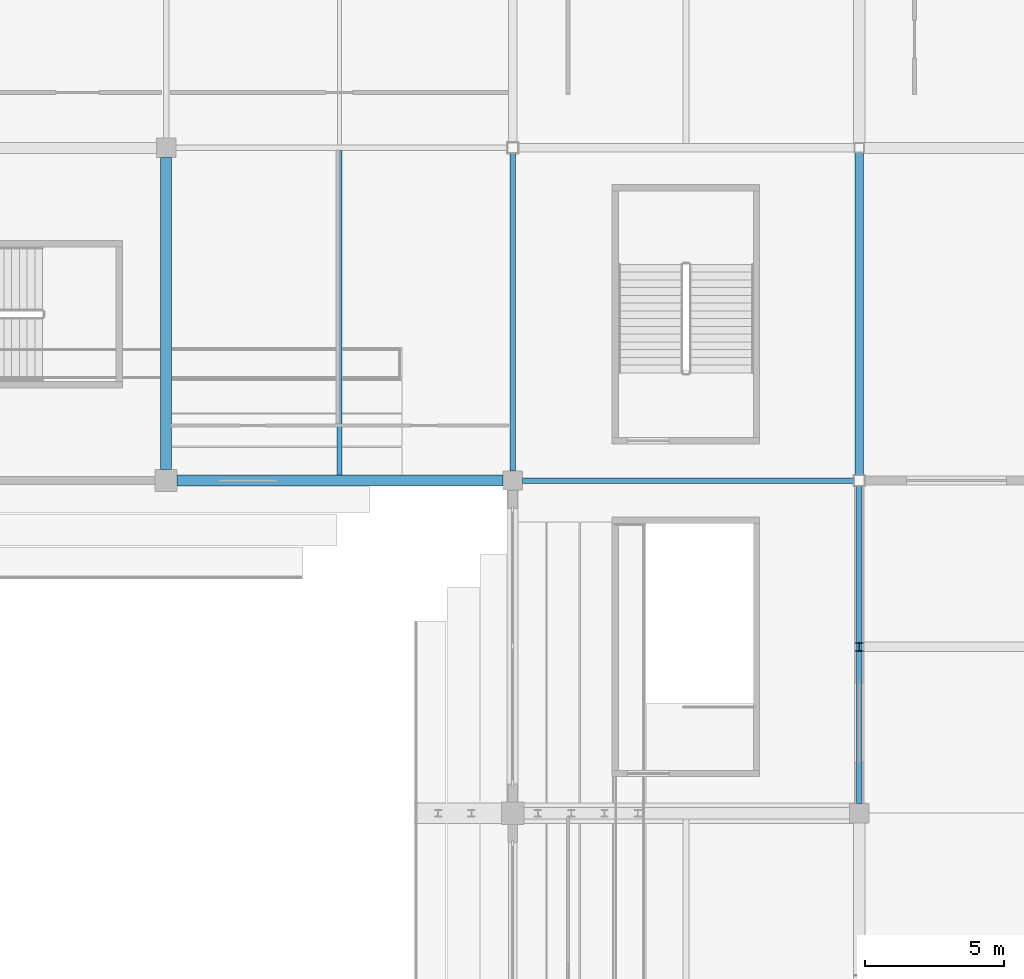
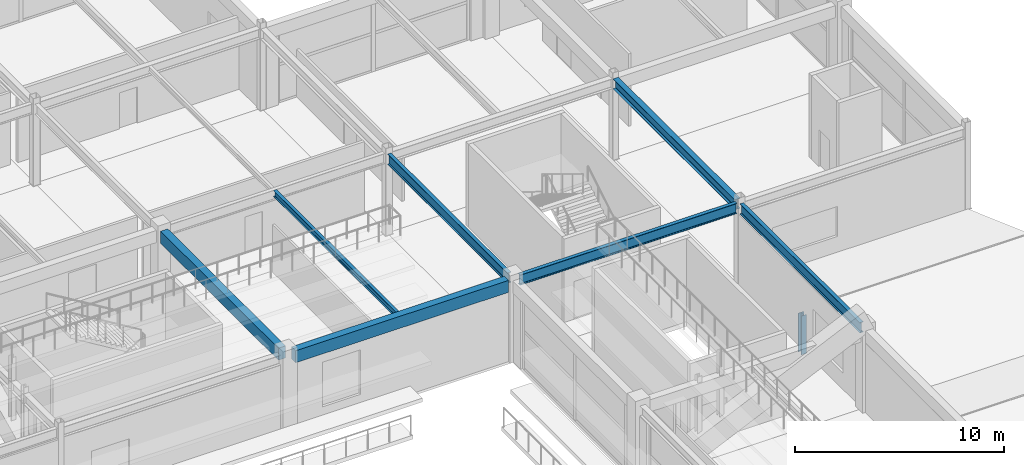
# One storey, part 59 of 128: 7 beams, 1 member.
"""IFC4 building model written with IfcOpenShell, lengths in metres."""

from ifc_helpers import new_model, si_unit, direction, frame, origin, origin_2d, place, context, subcontext, project, spatial, rectangle, i_section, extrude, material, material_profile, profile_set, type_object, element, save


model = new_model("IFC4")

# Units and contexts
model_context = context("Model", 3, precision=1e-05, world=origin(), true_north=direction((0.0, 1.0)))
body_context = subcontext(model_context, "Body", "Model", "MODEL_VIEW")
ifc_project = project(units=[si_unit("LENGTHUNIT", "METRE"), si_unit("AREAUNIT", "SQUARE_METRE"), si_unit("VOLUMEUNIT", "CUBIC_METRE"), si_unit("PLANEANGLEUNIT", "RADIAN"), si_unit("MASSUNIT", "GRAM", prefix="KILO")], contexts=[model_context])

# Site, building, storey
site_placement = place(None, origin())
site = spatial("IfcSite", under=ifc_project, at=site_placement, CompositionType="ELEMENT")
building_placement = place(site_placement, origin())
building = spatial("IfcBuilding", under=site, at=building_placement, Name="Kazenohara Klinker Stadium", CompositionType="ELEMENT")
storey_placement = place(building_placement, frame((0.0, 0.0, 15.300048828125)))
storey = spatial("IfcBuildingStorey", under=building, at=storey_placement, Name="L03", CompositionType="ELEMENT", Elevation=15.300048828125)

# Beams
ifc_material_1 = material(Name="Steel S355", Category="steel")
ifc_material_profile_1 = material_profile(ifc_material_1, i_section(OverallWidth=0.175048828125, OverallDepth=0.35009765625, WebThickness=0.007080078125, FlangeThickness=0.010986328125, FilletRadius=0.012939453125, at=origin_2d()), Name="H-350x175x7x11")
ifc_profile_set_1 = profile_set([ifc_material_profile_1], Name="Steel S355")
beam_type_1 = type_object("IfcBeamType", Name="BM-JST04", PredefinedType="JOIST", material=ifc_profile_set_1)
beam_1_placement = place(storey_placement, frame((168.75, 132.199951171875, 4.5849609375), z_axis=(0.0, 1.0, 0.0), x_axis=(-1.0, 0.0, 0.0)))
element("IfcBeam", 1, at=beam_1_placement, inside=storey, type_object=beam_type_1, Name="Secondary floor joist SJ04 L03 14/M", PredefinedType="JOIST", context=body_context, shape_type="SweptSolid", body=[
    extrude(i_section(OverallWidth=0.175048828125, OverallDepth=0.35009765625, WebThickness=0.007080078125, FlangeThickness=0.010986328125, FilletRadius=0.012939453125, at=origin_2d()), origin(), (0.0, 0.0, 1.0), 11.699951171875),
])
ifc_material_2 = material(Name="Concrete C40/50", Category="concrete")
ifc_material_profile_2 = material_profile(ifc_material_2, rectangle(XDim=0.39990234375, YDim=0.699951171875, at=origin_2d()), Name="RC-BM-400x700")
ifc_profile_set_2 = profile_set([ifc_material_profile_2], Name="Concrete C40/50")
beam_type_2 = type_object("IfcBeamType", Name="BM-RC04", PredefinedType="BEAM", material=ifc_profile_set_2)
beam_2_placement = place(storey_placement, frame((162.89990234375, 132.0, 4.409912109375), z_axis=(1.0, 0.0, 0.0), x_axis=(0.0, 1.0, 0.0)))
element("IfcBeam", 2, at=beam_2_placement, inside=storey, type_object=beam_type_2, Name="Primary girder BG04 L03 14-15/M", PredefinedType="BEAM", context=body_context, shape_type="SweptSolid", body=[
    extrude(rectangle(XDim=0.39990234375, YDim=0.699951171875, at=origin_2d()), origin(), (0.0, 0.0, 1.0), 11.75),
])
beam_3_placement = place(storey_placement, frame((162.5, 132.39990234375, 4.409912109375), z_axis=(0.0, 1.0, 0.0), x_axis=(-1.0, 0.0, 0.0)))
element("IfcBeam", 3, at=beam_3_placement, inside=storey, type_object=beam_type_2, Name="Primary girder BG04 L03 14/M-N", PredefinedType="BEAM", context=body_context, shape_type="SweptSolid", body=[
    extrude(rectangle(XDim=0.39990234375, YDim=0.699951171875, at=origin_2d()), origin(), (0.0, 0.0, 1.0), 11.25),
])
ifc_material_profile_3 = material_profile(ifc_material_1, i_section(OverallWidth=0.199951171875, OverallDepth=0.60009765625, WebThickness=0.010986328125, FlangeThickness=0.01708984375, FilletRadius=0.012939453125, at=origin_2d()), Name="H-600x200x11x17")
ifc_profile_set_3 = profile_set([ifc_material_profile_3], Name="Steel S355")
beam_type_3 = type_object("IfcBeamType", Name="BM-ST04", PredefinedType="BEAM", material=ifc_profile_set_3)
beam_4_placement = place(storey_placement, frame((175.35009765625, 132.0, 4.4599609375), z_axis=(1.0, 0.0, 0.0), x_axis=(0.0, 1.0, 0.0)))
element("IfcBeam", 4, at=beam_4_placement, inside=storey, type_object=beam_type_3, Name="Primary girder SB04 L03 15-16/M", PredefinedType="BEAM", context=body_context, shape_type="SweptSolid", body=[
    extrude(i_section(OverallWidth=0.199951171875, OverallDepth=0.60009765625, WebThickness=0.010986328125, FlangeThickness=0.01708984375, FilletRadius=0.012939453125, at=origin_2d()), origin(), (0.0, 0.0, 1.0), 11.949951171875),
])
for number, where, z_axis, x_axis, name in (
    (5, (175.0, 132.35009765625, 4.4599609375), (0.0, 1.0, 0.0), (-1.0, 0.0, 0.0), "Primary girder SB04 L03 15/M-N"),
    (6, (187.5, 120.35009765625, 4.4599609375), (0.0, 1.0, 0.0), (-1.0, 0.0, 0.0), "Primary girder SB04 L03 16/L-M"),
):
    element("IfcBeam", number, at=place(storey_placement, frame(where, z_axis=z_axis, x_axis=x_axis)), inside=storey, type_object=beam_type_3, Name=name, PredefinedType="BEAM", context=body_context, shape_type="SweptSolid", body=[
        extrude(i_section(OverallWidth=0.199951171875, OverallDepth=0.60009765625, WebThickness=0.010986328125, FlangeThickness=0.01708984375, FilletRadius=0.012939453125, at=origin_2d()), origin(), (0.0, 0.0, 1.0), 11.449951171875),
    ])
ifc_material_profile_4 = material_profile(ifc_material_1, i_section(OverallWidth=0.300048828125, OverallDepth=0.587890625, WebThickness=0.011962890625, FlangeThickness=0.02001953125, FilletRadius=0.02197265625, at=origin_2d()), Name="H-588x300x12x20")
ifc_profile_set_4 = profile_set([ifc_material_profile_4], Name="Steel S355")
beam_type_4 = type_object("IfcBeamType", Name="BM-ST05", PredefinedType="BEAM", material=ifc_profile_set_4)
beam_5_placement = place(storey_placement, frame((187.5, 132.199951171875, 4.466064453125), z_axis=(0.0, 1.0, 0.0), x_axis=(-1.0, 0.0, 0.0)))
element("IfcBeam", 7, at=beam_5_placement, inside=storey, type_object=beam_type_4, Name="Primary girder SB05 L03 16/M-N", PredefinedType="BEAM", context=body_context, shape_type="SweptSolid", body=[
    extrude(i_section(OverallWidth=0.300048828125, OverallDepth=0.587890625, WebThickness=0.011962890625, FlangeThickness=0.02001953125, FilletRadius=0.02197265625, at=origin_2d()), origin(), (0.0, 0.0, 1.0), 11.625),
])

# Member
ifc_material_profile_5 = material_profile(ifc_material_1, i_section(OverallWidth=0.300048828125, OverallDepth=0.300048828125, WebThickness=0.010009765625, FlangeThickness=0.014892578125, FilletRadius=0.012939453125, at=origin_2d()), Name="H-300x300x10x15")
ifc_profile_set_5 = profile_set([ifc_material_profile_5], Name="Steel S355")
member_type = type_object("IfcMemberType", Name="MEM-STR01", PredefinedType="STRUT", material=ifc_profile_set_5)
member_placement = place(storey_placement, frame((187.5, 126.0, -0.429931640625), z_axis=(0.0, 0.0, 1.0), x_axis=(1.0, 0.0, 0.0)))
element("IfcMember", 8, at=member_placement, inside=storey, type_object=member_type, Name="Stepped pavilion gable king-post L03 16/L W", PredefinedType="STRUT", context=body_context, shape_type="SweptSolid", body=[
    extrude(i_section(OverallWidth=0.300048828125, OverallDepth=0.300048828125, WebThickness=0.010009765625, FlangeThickness=0.014892578125, FilletRadius=0.012939453125, at=origin_2d()), origin(), (0.0, 0.0, 1.0), 2.259765625),
])

save(model, "model.ifc")
